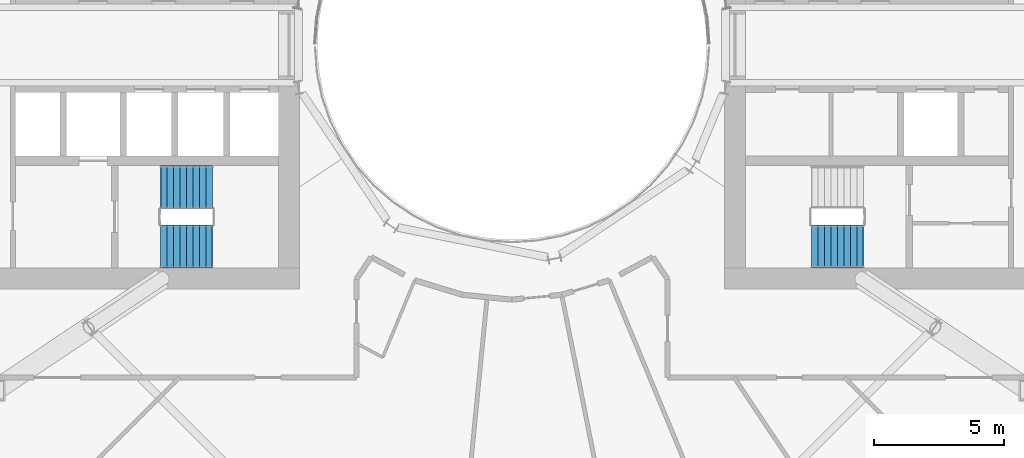
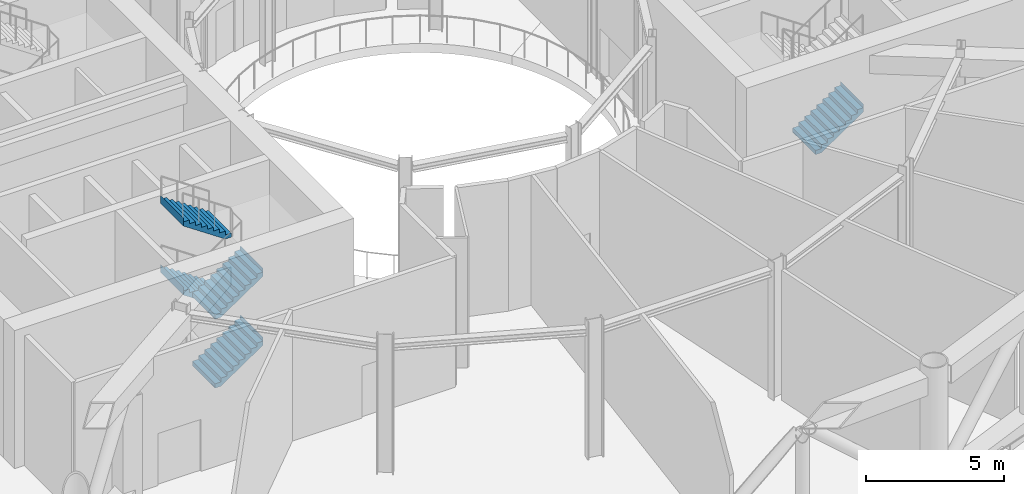
# One storey, part 14 of 22: 5 stair flights, 2 elements without a shape of their own.
"""IFC4 building model written with IfcOpenShell, lengths in metres."""

from ifc_helpers import new_model, si_unit, direction, frame, origin, place, context, subcontext, project, spatial, triangles, material, type_object, element, aggregate, save


model = new_model("IFC4")

# Units and contexts
model_context = context("Model", 3, precision=1e-05, world=origin(), true_north=direction((0.0, 1.0)))
body_context = subcontext(model_context, "Body", "Model", "MODEL_VIEW")
ifc_project = project(units=[si_unit("LENGTHUNIT", "METRE"), si_unit("AREAUNIT", "SQUARE_METRE"), si_unit("VOLUMEUNIT", "CUBIC_METRE"), si_unit("PLANEANGLEUNIT", "RADIAN"), si_unit("MASSUNIT", "GRAM", prefix="KILO")], contexts=[model_context])

# Site, building, storey
site_placement = place(None, origin())
site = spatial("IfcSite", under=ifc_project, at=site_placement, CompositionType="ELEMENT")
building_placement = place(site_placement, origin())
building = spatial("IfcBuilding", under=site, at=building_placement, Name="Maasbend Ring Residences", CompositionType="ELEMENT")
storey_placement = place(building_placement, frame((0.0, 0.0, 57.5)))
storey = spatial("IfcBuildingStorey", under=building, at=storey_placement, Name="L16", CompositionType="ELEMENT", Elevation=57.5)

# Stair, stair flight
ifc_material_1 = material(Name="Concrete C40/50", Category="concrete")
stair_type = type_object("IfcStairType", Name="CORE STAIR 36 RISERS", PredefinedType="HALF_TURN_STAIR", material=ifc_material_1)
stair_1_placement = place(storey_placement, origin())
stair_1 = element("IfcStair", 1, at=stair_1_placement, inside=storey, type_object=stair_type, Name="L16 Exit stair ST-E2", PredefinedType="HALF_TURN_STAIR")
ifc_material_2 = material(Name="Concrete C40/50", Category="concrete")
stair_flight_type = type_object("IfcStairFlightType", Name="CORE STAIR FLIGHT 1650", PredefinedType="STRAIGHT", material=ifc_material_2)
stair_flight_1_placement = place(storey_placement, frame((11.550048828125, -7.77490234375, 1.52490234375), z_axis=(0.0, 0.0, 1.0), x_axis=(1.0, 0.0, 0.0)))
stair_flight_1 = element("IfcStairFlight", 2, at=stair_flight_1_placement, type_object=stair_flight_type, Name="ST-E2 flight 2", NumberOfRisers=9, NumberOfTreads=8, PredefinedType="STRAIGHT", RiserHeight=0.169444444, TreadLength=0.25, context=body_context, shape_type="Tessellation", body=[
    triangles([(0.24072265625, 0.824951171875, -0.02001953125), (2.0029296875, 0.824951171875, 1.174560546875), (2.0029296875, 0.824951171875, 1.52490234375), (1.989990234375, 0.824951171875, 1.35546875), (1.75, 0.824951171875, 1.35546875), (1.75, 0.824951171875, 1.18603515625), (1.5, 0.824951171875, 1.18603515625), (1.5, 0.824951171875, 1.0166015625), (1.25, 0.824951171875, 1.0166015625), (1.25, 0.824951171875, 0.84716796875), (1.0, 0.824951171875, 0.84716796875), (1.0, 0.824951171875, 0.677734375), (0.75, 0.824951171875, 0.677734375), (0.75, 0.824951171875, 0.50830078125), (0.5, 0.824951171875, 0.50830078125), (0.5, 0.824951171875, 0.3388671875), (0.25, 0.824951171875, 0.3388671875), (0.25, 0.824951171875, 0.16943359375), (0.0, 0.824951171875, 0.16943359375), (0.0, 0.824951171875, 0.0), (-0.0029296875, 0.824951171875, 0.0), (-0.0029296875, 0.824951171875, -0.02001953125), (0.24072265625, 0.27490234375, -0.02001953125), (2.0029296875, 0.27490234375, 1.174560546875), (2.0029296875, 0.27490234375, 1.52490234375), (1.989990234375, 0.27490234375, 1.35546875), (1.75, 0.27490234375, 1.35546875), (1.75, 0.27490234375, 1.18603515625), (1.5, 0.27490234375, 1.18603515625), (1.5, 0.27490234375, 1.0166015625), (1.25, 0.27490234375, 1.0166015625), (1.25, 0.27490234375, 0.84716796875), (1.0, 0.27490234375, 0.84716796875), (1.0, 0.27490234375, 0.677734375), (0.75, 0.27490234375, 0.677734375), (0.75, 0.27490234375, 0.50830078125), (0.5, 0.27490234375, 0.50830078125), (0.5, 0.27490234375, 0.3388671875), (0.25, 0.27490234375, 0.3388671875), (0.25, 0.27490234375, 0.16943359375), (0.0, 0.27490234375, 0.16943359375), (0.0, 0.27490234375, 0.0), (-0.0029296875, 0.27490234375, 0.0), (-0.0029296875, 0.27490234375, -0.02001953125), (0.24072265625, -0.27490234375, -0.02001953125), (2.0029296875, -0.27490234375, 1.174560546875), (2.0029296875, -0.27490234375, 1.52490234375), (1.989990234375, -0.27490234375, 1.35546875), (1.75, -0.27490234375, 1.35546875), (1.75, -0.27490234375, 1.18603515625), (1.5, -0.27490234375, 1.18603515625), (1.5, -0.27490234375, 1.0166015625), (1.25, -0.27490234375, 1.0166015625), (1.25, -0.27490234375, 0.84716796875), (1.0, -0.27490234375, 0.84716796875), (1.0, -0.27490234375, 0.677734375), (0.75, -0.27490234375, 0.677734375), (0.75, -0.27490234375, 0.50830078125), (0.5, -0.27490234375, 0.50830078125), (0.5, -0.27490234375, 0.3388671875), (0.25, -0.27490234375, 0.3388671875), (0.25, -0.27490234375, 0.16943359375), (0.0, -0.27490234375, 0.16943359375), (0.0, -0.27490234375, 0.0), (-0.0029296875, -0.27490234375, 0.0), (-0.0029296875, -0.27490234375, -0.02001953125), (0.24072265625, -0.824951171875, -0.02001953125), (2.0029296875, -0.824951171875, 1.174560546875), (2.0029296875, -0.824951171875, 1.52490234375), (1.989990234375, -0.824951171875, 1.35546875), (1.75, -0.824951171875, 1.35546875), (1.75, -0.824951171875, 1.18603515625), (1.5, -0.824951171875, 1.18603515625), (1.5, -0.824951171875, 1.0166015625), (1.25, -0.824951171875, 1.0166015625), (1.25, -0.824951171875, 0.84716796875), (1.0, -0.824951171875, 0.84716796875), (1.0, -0.824951171875, 0.677734375), (0.75, -0.824951171875, 0.677734375), (0.75, -0.824951171875, 0.50830078125), (0.5, -0.824951171875, 0.50830078125), (0.5, -0.824951171875, 0.3388671875), (0.25, -0.824951171875, 0.3388671875), (0.25, -0.824951171875, 0.16943359375), (0.0, -0.824951171875, 0.16943359375), (0.0, -0.824951171875, 0.0), (-0.0029296875, -0.824951171875, 0.0), (-0.0029296875, -0.824951171875, -0.02001953125)], [[1, 2, 24], [1, 24, 23], [23, 24, 46], [23, 46, 45], [45, 46, 68], [45, 68, 67], [2, 3, 25], [2, 25, 24], [24, 25, 47], [24, 47, 46], [46, 47, 69], [46, 69, 68], [3, 4, 26], [3, 26, 25], [25, 26, 48], [25, 48, 47], [47, 48, 70], [47, 70, 69], [4, 5, 27], [4, 27, 26], [26, 27, 49], [26, 49, 48], [48, 49, 71], [48, 71, 70], [5, 6, 28], [5, 28, 27], [27, 28, 50], [27, 50, 49], [49, 50, 72], [49, 72, 71], [6, 7, 29], [6, 29, 28], [28, 29, 51], [28, 51, 50], [50, 51, 73], [50, 73, 72], [7, 8, 30], [7, 30, 29], [29, 30, 52], [29, 52, 51], [51, 52, 74], [51, 74, 73], [8, 9, 31], [8, 31, 30], [30, 31, 53], [30, 53, 52], [52, 53, 75], [52, 75, 74], [9, 10, 32], [9, 32, 31], [31, 32, 54], [31, 54, 53], [53, 54, 76], [53, 76, 75], [10, 11, 33], [10, 33, 32], [32, 33, 55], [32, 55, 54], [54, 55, 77], [54, 77, 76], [11, 12, 34], [11, 34, 33], [33, 34, 56], [33, 56, 55], [55, 56, 78], [55, 78, 77], [12, 13, 35], [12, 35, 34], [34, 35, 57], [34, 57, 56], [56, 57, 79], [56, 79, 78], [13, 14, 36], [13, 36, 35], [35, 36, 58], [35, 58, 57], [57, 58, 80], [57, 80, 79], [14, 15, 37], [14, 37, 36], [36, 37, 59], [36, 59, 58], [58, 59, 81], [58, 81, 80], [15, 16, 38], [15, 38, 37], [37, 38, 60], [37, 60, 59], [59, 60, 82], [59, 82, 81], [16, 17, 39], [16, 39, 38], [38, 39, 61], [38, 61, 60], [60, 61, 83], [60, 83, 82], [17, 18, 40], [17, 40, 39], [39, 40, 62], [39, 62, 61], [61, 62, 84], [61, 84, 83], [18, 19, 41], [18, 41, 40], [40, 41, 63], [40, 63, 62], [62, 63, 85], [62, 85, 84], [19, 20, 42], [19, 42, 41], [41, 42, 64], [41, 64, 63], [63, 64, 86], [63, 86, 85], [20, 21, 43], [20, 43, 42], [42, 43, 65], [42, 65, 64], [64, 65, 87], [64, 87, 86], [21, 22, 44], [21, 44, 43], [43, 44, 66], [43, 66, 65], [65, 66, 88], [65, 88, 87], [22, 1, 23], [22, 23, 44], [44, 23, 45], [44, 45, 66], [66, 45, 67], [66, 67, 88], [22, 2, 1], [2, 4, 3], [2, 5, 4], [2, 6, 5], [22, 6, 2], [6, 8, 7], [22, 8, 6], [8, 10, 9], [22, 10, 8], [10, 12, 11], [22, 12, 10], [12, 14, 13], [22, 14, 12], [14, 16, 15], [22, 16, 14], [16, 18, 17], [22, 18, 16], [18, 20, 19], [22, 20, 18], [20, 22, 21], [88, 67, 68], [68, 69, 70], [68, 70, 71], [68, 71, 72], [88, 68, 72], [72, 73, 74], [88, 72, 74], [74, 75, 76], [88, 74, 76], [76, 77, 78], [88, 76, 78], [78, 79, 80], [88, 78, 80], [80, 81, 82], [88, 80, 82], [82, 83, 84], [88, 82, 84], [84, 85, 86], [88, 84, 86], [86, 87, 88]], closed=True),
])
aggregate(stair_1, [stair_flight_1])

# Stair, stair flights
stair_2_placement = place(storey_placement, origin())
stair_2 = element("IfcStair", 3, at=stair_2_placement, inside=storey, type_object=stair_type, Name="L16 Exit stair ST-W1", PredefinedType="HALF_TURN_STAIR")
stair_flight_2_placement = place(storey_placement, frame((-13.550048828125, -7.77490234375, 0.0), z_axis=(0.0, 0.0, 1.0), x_axis=(1.0, 0.0, 0.0)))
stair_flight_2 = element("IfcStairFlight", 4, at=stair_flight_2_placement, type_object=stair_flight_type, Name="ST-W1 flight 1", NumberOfRisers=9, NumberOfTreads=8, PredefinedType="STRAIGHT", RiserHeight=0.169444444, TreadLength=0.25, context=body_context, shape_type="Tessellation", body=[
    triangles([(0.24072265625, 0.824951171875, -0.02001953125), (2.0029296875, 0.824951171875, 1.174560546875), (2.0029296875, 0.824951171875, 1.52490234375), (1.989990234375, 0.824951171875, 1.35546875), (1.75, 0.824951171875, 1.35546875), (1.75, 0.824951171875, 1.18603515625), (1.5, 0.824951171875, 1.18603515625), (1.5, 0.824951171875, 1.0166015625), (1.25, 0.824951171875, 1.0166015625), (1.25, 0.824951171875, 0.84716796875), (1.0, 0.824951171875, 0.84716796875), (1.0, 0.824951171875, 0.677734375), (0.75, 0.824951171875, 0.677734375), (0.75, 0.824951171875, 0.50830078125), (0.5, 0.824951171875, 0.50830078125), (0.5, 0.824951171875, 0.3388671875), (0.25, 0.824951171875, 0.3388671875), (0.25, 0.824951171875, 0.16943359375), (0.0, 0.824951171875, 0.16943359375), (0.0, 0.824951171875, 0.0), (-0.0029296875, 0.824951171875, 0.0), (-0.0029296875, 0.824951171875, -0.02001953125), (0.24072265625, 0.27490234375, -0.02001953125), (2.0029296875, 0.27490234375, 1.174560546875), (2.0029296875, 0.27490234375, 1.52490234375), (1.989990234375, 0.27490234375, 1.35546875), (1.75, 0.27490234375, 1.35546875), (1.75, 0.27490234375, 1.18603515625), (1.5, 0.27490234375, 1.18603515625), (1.5, 0.27490234375, 1.0166015625), (1.25, 0.27490234375, 1.0166015625), (1.25, 0.27490234375, 0.84716796875), (1.0, 0.27490234375, 0.84716796875), (1.0, 0.27490234375, 0.677734375), (0.75, 0.27490234375, 0.677734375), (0.75, 0.27490234375, 0.50830078125), (0.5, 0.27490234375, 0.50830078125), (0.5, 0.27490234375, 0.3388671875), (0.25, 0.27490234375, 0.3388671875), (0.25, 0.27490234375, 0.16943359375), (0.0, 0.27490234375, 0.16943359375), (0.0, 0.27490234375, 0.0), (-0.0029296875, 0.27490234375, 0.0), (-0.0029296875, 0.27490234375, -0.02001953125), (0.24072265625, -0.27490234375, -0.02001953125), (2.0029296875, -0.27490234375, 1.174560546875), (2.0029296875, -0.27490234375, 1.52490234375), (1.989990234375, -0.27490234375, 1.35546875), (1.75, -0.27490234375, 1.35546875), (1.75, -0.27490234375, 1.18603515625), (1.5, -0.27490234375, 1.18603515625), (1.5, -0.27490234375, 1.0166015625), (1.25, -0.27490234375, 1.0166015625), (1.25, -0.27490234375, 0.84716796875), (1.0, -0.27490234375, 0.84716796875), (1.0, -0.27490234375, 0.677734375), (0.75, -0.27490234375, 0.677734375), (0.75, -0.27490234375, 0.50830078125), (0.5, -0.27490234375, 0.50830078125), (0.5, -0.27490234375, 0.3388671875), (0.25, -0.27490234375, 0.3388671875), (0.25, -0.27490234375, 0.16943359375), (0.0, -0.27490234375, 0.16943359375), (0.0, -0.27490234375, 0.0), (-0.0029296875, -0.27490234375, 0.0), (-0.0029296875, -0.27490234375, -0.02001953125), (0.24072265625, -0.824951171875, -0.02001953125), (2.0029296875, -0.824951171875, 1.174560546875), (2.0029296875, -0.824951171875, 1.52490234375), (1.989990234375, -0.824951171875, 1.35546875), (1.75, -0.824951171875, 1.35546875), (1.75, -0.824951171875, 1.18603515625), (1.5, -0.824951171875, 1.18603515625), (1.5, -0.824951171875, 1.0166015625), (1.25, -0.824951171875, 1.0166015625), (1.25, -0.824951171875, 0.84716796875), (1.0, -0.824951171875, 0.84716796875), (1.0, -0.824951171875, 0.677734375), (0.75, -0.824951171875, 0.677734375), (0.75, -0.824951171875, 0.50830078125), (0.5, -0.824951171875, 0.50830078125), (0.5, -0.824951171875, 0.3388671875), (0.25, -0.824951171875, 0.3388671875), (0.25, -0.824951171875, 0.16943359375), (0.0, -0.824951171875, 0.16943359375), (0.0, -0.824951171875, 0.0), (-0.0029296875, -0.824951171875, 0.0), (-0.0029296875, -0.824951171875, -0.02001953125)], [[1, 2, 24], [1, 24, 23], [23, 24, 46], [23, 46, 45], [45, 46, 68], [45, 68, 67], [2, 3, 25], [2, 25, 24], [24, 25, 47], [24, 47, 46], [46, 47, 69], [46, 69, 68], [3, 4, 26], [3, 26, 25], [25, 26, 48], [25, 48, 47], [47, 48, 70], [47, 70, 69], [4, 5, 27], [4, 27, 26], [26, 27, 49], [26, 49, 48], [48, 49, 71], [48, 71, 70], [5, 6, 28], [5, 28, 27], [27, 28, 50], [27, 50, 49], [49, 50, 72], [49, 72, 71], [6, 7, 29], [6, 29, 28], [28, 29, 51], [28, 51, 50], [50, 51, 73], [50, 73, 72], [7, 8, 30], [7, 30, 29], [29, 30, 52], [29, 52, 51], [51, 52, 74], [51, 74, 73], [8, 9, 31], [8, 31, 30], [30, 31, 53], [30, 53, 52], [52, 53, 75], [52, 75, 74], [9, 10, 32], [9, 32, 31], [31, 32, 54], [31, 54, 53], [53, 54, 76], [53, 76, 75], [10, 11, 33], [10, 33, 32], [32, 33, 55], [32, 55, 54], [54, 55, 77], [54, 77, 76], [11, 12, 34], [11, 34, 33], [33, 34, 56], [33, 56, 55], [55, 56, 78], [55, 78, 77], [12, 13, 35], [12, 35, 34], [34, 35, 57], [34, 57, 56], [56, 57, 79], [56, 79, 78], [13, 14, 36], [13, 36, 35], [35, 36, 58], [35, 58, 57], [57, 58, 80], [57, 80, 79], [14, 15, 37], [14, 37, 36], [36, 37, 59], [36, 59, 58], [58, 59, 81], [58, 81, 80], [15, 16, 38], [15, 38, 37], [37, 38, 60], [37, 60, 59], [59, 60, 82], [59, 82, 81], [16, 17, 39], [16, 39, 38], [38, 39, 61], [38, 61, 60], [60, 61, 83], [60, 83, 82], [17, 18, 40], [17, 40, 39], [39, 40, 62], [39, 62, 61], [61, 62, 84], [61, 84, 83], [18, 19, 41], [18, 41, 40], [40, 41, 63], [40, 63, 62], [62, 63, 85], [62, 85, 84], [19, 20, 42], [19, 42, 41], [41, 42, 64], [41, 64, 63], [63, 64, 86], [63, 86, 85], [20, 21, 43], [20, 43, 42], [42, 43, 65], [42, 65, 64], [64, 65, 87], [64, 87, 86], [21, 22, 44], [21, 44, 43], [43, 44, 66], [43, 66, 65], [65, 66, 88], [65, 88, 87], [22, 1, 23], [22, 23, 44], [44, 23, 45], [44, 45, 66], [66, 45, 67], [66, 67, 88], [22, 2, 1], [2, 4, 3], [2, 5, 4], [2, 6, 5], [22, 6, 2], [6, 8, 7], [22, 8, 6], [8, 10, 9], [22, 10, 8], [10, 12, 11], [22, 12, 10], [12, 14, 13], [22, 14, 12], [14, 16, 15], [22, 16, 14], [16, 18, 17], [22, 18, 16], [18, 20, 19], [22, 20, 18], [20, 22, 21], [88, 67, 68], [68, 69, 70], [68, 70, 71], [68, 71, 72], [88, 68, 72], [72, 73, 74], [88, 72, 74], [74, 75, 76], [88, 74, 76], [76, 77, 78], [88, 76, 78], [78, 79, 80], [88, 78, 80], [80, 81, 82], [88, 80, 82], [82, 83, 84], [88, 82, 84], [84, 85, 86], [88, 84, 86], [86, 87, 88]], closed=True),
])
stair_flight_3_placement = place(storey_placement, frame((-11.550048828125, -5.47509765625, 1.52490234375), z_axis=(0.0, 0.0, 1.0), x_axis=(-1.0, 0.0, 0.0)))
stair_flight_3 = element("IfcStairFlight", 5, at=stair_flight_3_placement, type_object=stair_flight_type, Name="ST-W1 flight 2", NumberOfRisers=9, NumberOfTreads=8, PredefinedType="STRAIGHT", RiserHeight=0.169444444, TreadLength=0.25, context=body_context, shape_type="Tessellation", body=[
    triangles([(0.24072265625, 0.824951171875, -0.02001953125), (2.0029296875, 0.824951171875, 1.174560546875), (2.0029296875, 0.824951171875, 1.52490234375), (1.989990234375, 0.824951171875, 1.35546875), (1.75, 0.824951171875, 1.35546875), (1.75, 0.824951171875, 1.18603515625), (1.5, 0.824951171875, 1.18603515625), (1.5, 0.824951171875, 1.0166015625), (1.25, 0.824951171875, 1.0166015625), (1.25, 0.824951171875, 0.84716796875), (1.0, 0.824951171875, 0.84716796875), (1.0, 0.824951171875, 0.677734375), (0.75, 0.824951171875, 0.677734375), (0.75, 0.824951171875, 0.50830078125), (0.5, 0.824951171875, 0.50830078125), (0.5, 0.824951171875, 0.3388671875), (0.25, 0.824951171875, 0.3388671875), (0.25, 0.824951171875, 0.16943359375), (0.0, 0.824951171875, 0.16943359375), (0.0, 0.824951171875, 0.0), (-0.0029296875, 0.824951171875, 0.0), (-0.0029296875, 0.824951171875, -0.02001953125), (0.24072265625, 0.27490234375, -0.02001953125), (2.0029296875, 0.27490234375, 1.174560546875), (2.0029296875, 0.27490234375, 1.52490234375), (1.989990234375, 0.27490234375, 1.35546875), (1.75, 0.27490234375, 1.35546875), (1.75, 0.27490234375, 1.18603515625), (1.5, 0.27490234375, 1.18603515625), (1.5, 0.27490234375, 1.0166015625), (1.25, 0.27490234375, 1.0166015625), (1.25, 0.27490234375, 0.84716796875), (1.0, 0.27490234375, 0.84716796875), (1.0, 0.27490234375, 0.677734375), (0.75, 0.27490234375, 0.677734375), (0.75, 0.27490234375, 0.50830078125), (0.5, 0.27490234375, 0.50830078125), (0.5, 0.27490234375, 0.3388671875), (0.25, 0.27490234375, 0.3388671875), (0.25, 0.27490234375, 0.16943359375), (0.0, 0.27490234375, 0.16943359375), (0.0, 0.27490234375, 0.0), (-0.0029296875, 0.27490234375, 0.0), (-0.0029296875, 0.27490234375, -0.02001953125), (0.24072265625, -0.27490234375, -0.02001953125), (2.0029296875, -0.27490234375, 1.174560546875), (2.0029296875, -0.27490234375, 1.52490234375), (1.989990234375, -0.27490234375, 1.35546875), (1.75, -0.27490234375, 1.35546875), (1.75, -0.27490234375, 1.18603515625), (1.5, -0.27490234375, 1.18603515625), (1.5, -0.27490234375, 1.0166015625), (1.25, -0.27490234375, 1.0166015625), (1.25, -0.27490234375, 0.84716796875), (1.0, -0.27490234375, 0.84716796875), (1.0, -0.27490234375, 0.677734375), (0.75, -0.27490234375, 0.677734375), (0.75, -0.27490234375, 0.50830078125), (0.5, -0.27490234375, 0.50830078125), (0.5, -0.27490234375, 0.3388671875), (0.25, -0.27490234375, 0.3388671875), (0.25, -0.27490234375, 0.16943359375), (0.0, -0.27490234375, 0.16943359375), (0.0, -0.27490234375, 0.0), (-0.0029296875, -0.27490234375, 0.0), (-0.0029296875, -0.27490234375, -0.02001953125), (0.24072265625, -0.824951171875, -0.02001953125), (2.0029296875, -0.824951171875, 1.174560546875), (2.0029296875, -0.824951171875, 1.52490234375), (1.989990234375, -0.824951171875, 1.35546875), (1.75, -0.824951171875, 1.35546875), (1.75, -0.824951171875, 1.18603515625), (1.5, -0.824951171875, 1.18603515625), (1.5, -0.824951171875, 1.0166015625), (1.25, -0.824951171875, 1.0166015625), (1.25, -0.824951171875, 0.84716796875), (1.0, -0.824951171875, 0.84716796875), (1.0, -0.824951171875, 0.677734375), (0.75, -0.824951171875, 0.677734375), (0.75, -0.824951171875, 0.50830078125), (0.5, -0.824951171875, 0.50830078125), (0.5, -0.824951171875, 0.3388671875), (0.25, -0.824951171875, 0.3388671875), (0.25, -0.824951171875, 0.16943359375), (0.0, -0.824951171875, 0.16943359375), (0.0, -0.824951171875, 0.0), (-0.0029296875, -0.824951171875, 0.0), (-0.0029296875, -0.824951171875, -0.02001953125)], [[1, 2, 24], [1, 24, 23], [23, 24, 46], [23, 46, 45], [45, 46, 68], [45, 68, 67], [2, 3, 25], [2, 25, 24], [24, 25, 47], [24, 47, 46], [46, 47, 69], [46, 69, 68], [3, 4, 26], [3, 26, 25], [25, 26, 48], [25, 48, 47], [47, 48, 70], [47, 70, 69], [4, 5, 27], [4, 27, 26], [26, 27, 49], [26, 49, 48], [48, 49, 71], [48, 71, 70], [5, 6, 28], [5, 28, 27], [27, 28, 50], [27, 50, 49], [49, 50, 72], [49, 72, 71], [6, 7, 29], [6, 29, 28], [28, 29, 51], [28, 51, 50], [50, 51, 73], [50, 73, 72], [7, 8, 30], [7, 30, 29], [29, 30, 52], [29, 52, 51], [51, 52, 74], [51, 74, 73], [8, 9, 31], [8, 31, 30], [30, 31, 53], [30, 53, 52], [52, 53, 75], [52, 75, 74], [9, 10, 32], [9, 32, 31], [31, 32, 54], [31, 54, 53], [53, 54, 76], [53, 76, 75], [10, 11, 33], [10, 33, 32], [32, 33, 55], [32, 55, 54], [54, 55, 77], [54, 77, 76], [11, 12, 34], [11, 34, 33], [33, 34, 56], [33, 56, 55], [55, 56, 78], [55, 78, 77], [12, 13, 35], [12, 35, 34], [34, 35, 57], [34, 57, 56], [56, 57, 79], [56, 79, 78], [13, 14, 36], [13, 36, 35], [35, 36, 58], [35, 58, 57], [57, 58, 80], [57, 80, 79], [14, 15, 37], [14, 37, 36], [36, 37, 59], [36, 59, 58], [58, 59, 81], [58, 81, 80], [15, 16, 38], [15, 38, 37], [37, 38, 60], [37, 60, 59], [59, 60, 82], [59, 82, 81], [16, 17, 39], [16, 39, 38], [38, 39, 61], [38, 61, 60], [60, 61, 83], [60, 83, 82], [17, 18, 40], [17, 40, 39], [39, 40, 62], [39, 62, 61], [61, 62, 84], [61, 84, 83], [18, 19, 41], [18, 41, 40], [40, 41, 63], [40, 63, 62], [62, 63, 85], [62, 85, 84], [19, 20, 42], [19, 42, 41], [41, 42, 64], [41, 64, 63], [63, 64, 86], [63, 86, 85], [20, 21, 43], [20, 43, 42], [42, 43, 65], [42, 65, 64], [64, 65, 87], [64, 87, 86], [21, 22, 44], [21, 44, 43], [43, 44, 66], [43, 66, 65], [65, 66, 88], [65, 88, 87], [22, 1, 23], [22, 23, 44], [44, 23, 45], [44, 45, 66], [66, 45, 67], [66, 67, 88], [22, 2, 1], [2, 4, 3], [2, 5, 4], [2, 6, 5], [22, 6, 2], [6, 8, 7], [22, 8, 6], [8, 10, 9], [22, 10, 8], [10, 12, 11], [22, 12, 10], [12, 14, 13], [22, 14, 12], [14, 16, 15], [22, 16, 14], [16, 18, 17], [22, 18, 16], [18, 20, 19], [22, 20, 18], [20, 22, 21], [88, 67, 68], [68, 69, 70], [68, 70, 71], [68, 71, 72], [88, 68, 72], [72, 73, 74], [88, 72, 74], [74, 75, 76], [88, 74, 76], [76, 77, 78], [88, 76, 78], [78, 79, 80], [88, 78, 80], [80, 81, 82], [88, 80, 82], [82, 83, 84], [88, 82, 84], [84, 85, 86], [88, 84, 86], [86, 87, 88]], closed=True),
])
stair_flight_4_placement = place(storey_placement, frame((-13.550048828125, -7.77490234375, 3.050048828125), z_axis=(0.0, 0.0, 1.0), x_axis=(1.0, 0.0, 0.0)))
stair_flight_4 = element("IfcStairFlight", 6, at=stair_flight_4_placement, type_object=stair_flight_type, Name="ST-W1 flight 3", NumberOfRisers=9, NumberOfTreads=8, PredefinedType="STRAIGHT", RiserHeight=0.169444444, TreadLength=0.25, context=body_context, shape_type="Tessellation", body=[
    triangles([(0.24072265625, 0.824951171875, -0.02001953125), (2.0029296875, 0.824951171875, 1.174560546875), (2.0029296875, 0.824951171875, 1.52490234375), (1.989990234375, 0.824951171875, 1.35546875), (1.75, 0.824951171875, 1.35546875), (1.75, 0.824951171875, 1.18603515625), (1.5, 0.824951171875, 1.18603515625), (1.5, 0.824951171875, 1.0166015625), (1.25, 0.824951171875, 1.0166015625), (1.25, 0.824951171875, 0.84716796875), (1.0, 0.824951171875, 0.84716796875), (1.0, 0.824951171875, 0.677734375), (0.75, 0.824951171875, 0.677734375), (0.75, 0.824951171875, 0.50830078125), (0.5, 0.824951171875, 0.50830078125), (0.5, 0.824951171875, 0.3388671875), (0.25, 0.824951171875, 0.3388671875), (0.25, 0.824951171875, 0.16943359375), (0.0, 0.824951171875, 0.16943359375), (0.0, 0.824951171875, 0.0), (-0.0029296875, 0.824951171875, 0.0), (-0.0029296875, 0.824951171875, -0.02001953125), (0.24072265625, 0.27490234375, -0.02001953125), (2.0029296875, 0.27490234375, 1.174560546875), (2.0029296875, 0.27490234375, 1.52490234375), (1.989990234375, 0.27490234375, 1.35546875), (1.75, 0.27490234375, 1.35546875), (1.75, 0.27490234375, 1.18603515625), (1.5, 0.27490234375, 1.18603515625), (1.5, 0.27490234375, 1.0166015625), (1.25, 0.27490234375, 1.0166015625), (1.25, 0.27490234375, 0.84716796875), (1.0, 0.27490234375, 0.84716796875), (1.0, 0.27490234375, 0.677734375), (0.75, 0.27490234375, 0.677734375), (0.75, 0.27490234375, 0.50830078125), (0.5, 0.27490234375, 0.50830078125), (0.5, 0.27490234375, 0.3388671875), (0.25, 0.27490234375, 0.3388671875), (0.25, 0.27490234375, 0.16943359375), (0.0, 0.27490234375, 0.16943359375), (0.0, 0.27490234375, 0.0), (-0.0029296875, 0.27490234375, 0.0), (-0.0029296875, 0.27490234375, -0.02001953125), (0.24072265625, -0.27490234375, -0.02001953125), (2.0029296875, -0.27490234375, 1.174560546875), (2.0029296875, -0.27490234375, 1.52490234375), (1.989990234375, -0.27490234375, 1.35546875), (1.75, -0.27490234375, 1.35546875), (1.75, -0.27490234375, 1.18603515625), (1.5, -0.27490234375, 1.18603515625), (1.5, -0.27490234375, 1.0166015625), (1.25, -0.27490234375, 1.0166015625), (1.25, -0.27490234375, 0.84716796875), (1.0, -0.27490234375, 0.84716796875), (1.0, -0.27490234375, 0.677734375), (0.75, -0.27490234375, 0.677734375), (0.75, -0.27490234375, 0.50830078125), (0.5, -0.27490234375, 0.50830078125), (0.5, -0.27490234375, 0.3388671875), (0.25, -0.27490234375, 0.3388671875), (0.25, -0.27490234375, 0.16943359375), (0.0, -0.27490234375, 0.16943359375), (0.0, -0.27490234375, 0.0), (-0.0029296875, -0.27490234375, 0.0), (-0.0029296875, -0.27490234375, -0.02001953125), (0.24072265625, -0.824951171875, -0.02001953125), (2.0029296875, -0.824951171875, 1.174560546875), (2.0029296875, -0.824951171875, 1.52490234375), (1.989990234375, -0.824951171875, 1.35546875), (1.75, -0.824951171875, 1.35546875), (1.75, -0.824951171875, 1.18603515625), (1.5, -0.824951171875, 1.18603515625), (1.5, -0.824951171875, 1.0166015625), (1.25, -0.824951171875, 1.0166015625), (1.25, -0.824951171875, 0.84716796875), (1.0, -0.824951171875, 0.84716796875), (1.0, -0.824951171875, 0.677734375), (0.75, -0.824951171875, 0.677734375), (0.75, -0.824951171875, 0.50830078125), (0.5, -0.824951171875, 0.50830078125), (0.5, -0.824951171875, 0.3388671875), (0.25, -0.824951171875, 0.3388671875), (0.25, -0.824951171875, 0.16943359375), (0.0, -0.824951171875, 0.16943359375), (0.0, -0.824951171875, 0.0), (-0.0029296875, -0.824951171875, 0.0), (-0.0029296875, -0.824951171875, -0.02001953125)], [[1, 2, 24], [1, 24, 23], [23, 24, 46], [23, 46, 45], [45, 46, 68], [45, 68, 67], [2, 3, 25], [2, 25, 24], [24, 25, 47], [24, 47, 46], [46, 47, 69], [46, 69, 68], [3, 4, 26], [3, 26, 25], [25, 26, 48], [25, 48, 47], [47, 48, 70], [47, 70, 69], [4, 5, 27], [4, 27, 26], [26, 27, 49], [26, 49, 48], [48, 49, 71], [48, 71, 70], [5, 6, 28], [5, 28, 27], [27, 28, 50], [27, 50, 49], [49, 50, 72], [49, 72, 71], [6, 7, 29], [6, 29, 28], [28, 29, 51], [28, 51, 50], [50, 51, 73], [50, 73, 72], [7, 8, 30], [7, 30, 29], [29, 30, 52], [29, 52, 51], [51, 52, 74], [51, 74, 73], [8, 9, 31], [8, 31, 30], [30, 31, 53], [30, 53, 52], [52, 53, 75], [52, 75, 74], [9, 10, 32], [9, 32, 31], [31, 32, 54], [31, 54, 53], [53, 54, 76], [53, 76, 75], [10, 11, 33], [10, 33, 32], [32, 33, 55], [32, 55, 54], [54, 55, 77], [54, 77, 76], [11, 12, 34], [11, 34, 33], [33, 34, 56], [33, 56, 55], [55, 56, 78], [55, 78, 77], [12, 13, 35], [12, 35, 34], [34, 35, 57], [34, 57, 56], [56, 57, 79], [56, 79, 78], [13, 14, 36], [13, 36, 35], [35, 36, 58], [35, 58, 57], [57, 58, 80], [57, 80, 79], [14, 15, 37], [14, 37, 36], [36, 37, 59], [36, 59, 58], [58, 59, 81], [58, 81, 80], [15, 16, 38], [15, 38, 37], [37, 38, 60], [37, 60, 59], [59, 60, 82], [59, 82, 81], [16, 17, 39], [16, 39, 38], [38, 39, 61], [38, 61, 60], [60, 61, 83], [60, 83, 82], [17, 18, 40], [17, 40, 39], [39, 40, 62], [39, 62, 61], [61, 62, 84], [61, 84, 83], [18, 19, 41], [18, 41, 40], [40, 41, 63], [40, 63, 62], [62, 63, 85], [62, 85, 84], [19, 20, 42], [19, 42, 41], [41, 42, 64], [41, 64, 63], [63, 64, 86], [63, 86, 85], [20, 21, 43], [20, 43, 42], [42, 43, 65], [42, 65, 64], [64, 65, 87], [64, 87, 86], [21, 22, 44], [21, 44, 43], [43, 44, 66], [43, 66, 65], [65, 66, 88], [65, 88, 87], [22, 1, 23], [22, 23, 44], [44, 23, 45], [44, 45, 66], [66, 45, 67], [66, 67, 88], [22, 2, 1], [2, 4, 3], [2, 5, 4], [2, 6, 5], [22, 6, 2], [6, 8, 7], [22, 8, 6], [8, 10, 9], [22, 10, 8], [10, 12, 11], [22, 12, 10], [12, 14, 13], [22, 14, 12], [14, 16, 15], [22, 16, 14], [16, 18, 17], [22, 18, 16], [18, 20, 19], [22, 20, 18], [20, 22, 21], [88, 67, 68], [68, 69, 70], [68, 70, 71], [68, 71, 72], [88, 68, 72], [72, 73, 74], [88, 72, 74], [74, 75, 76], [88, 74, 76], [76, 77, 78], [88, 76, 78], [78, 79, 80], [88, 78, 80], [80, 81, 82], [88, 80, 82], [82, 83, 84], [88, 82, 84], [84, 85, 86], [88, 84, 86], [86, 87, 88]], closed=True),
])
stair_flight_5_placement = place(storey_placement, frame((-11.550048828125, -5.47509765625, 4.574951171875), z_axis=(0.0, 0.0, 1.0), x_axis=(-1.0, 0.0, 0.0)))
stair_flight_5 = element("IfcStairFlight", 7, at=stair_flight_5_placement, type_object=stair_flight_type, Name="ST-W1 flight 4", NumberOfRisers=9, NumberOfTreads=8, PredefinedType="STRAIGHT", RiserHeight=0.169444444, TreadLength=0.25, context=body_context, shape_type="Tessellation", body=[
    triangles([(0.24072265625, 0.824951171875, -0.02001953125), (2.0029296875, 0.824951171875, 1.174560546875), (2.0029296875, 0.824951171875, 1.52490234375), (1.989990234375, 0.824951171875, 1.35546875), (1.75, 0.824951171875, 1.35546875), (1.75, 0.824951171875, 1.18603515625), (1.5, 0.824951171875, 1.18603515625), (1.5, 0.824951171875, 1.0166015625), (1.25, 0.824951171875, 1.0166015625), (1.25, 0.824951171875, 0.84716796875), (1.0, 0.824951171875, 0.84716796875), (1.0, 0.824951171875, 0.677734375), (0.75, 0.824951171875, 0.677734375), (0.75, 0.824951171875, 0.50830078125), (0.5, 0.824951171875, 0.50830078125), (0.5, 0.824951171875, 0.3388671875), (0.25, 0.824951171875, 0.3388671875), (0.25, 0.824951171875, 0.16943359375), (0.0, 0.824951171875, 0.16943359375), (0.0, 0.824951171875, 0.0), (-0.0029296875, 0.824951171875, 0.0), (-0.0029296875, 0.824951171875, -0.02001953125), (0.24072265625, 0.27490234375, -0.02001953125), (2.0029296875, 0.27490234375, 1.174560546875), (2.0029296875, 0.27490234375, 1.52490234375), (1.989990234375, 0.27490234375, 1.35546875), (1.75, 0.27490234375, 1.35546875), (1.75, 0.27490234375, 1.18603515625), (1.5, 0.27490234375, 1.18603515625), (1.5, 0.27490234375, 1.0166015625), (1.25, 0.27490234375, 1.0166015625), (1.25, 0.27490234375, 0.84716796875), (1.0, 0.27490234375, 0.84716796875), (1.0, 0.27490234375, 0.677734375), (0.75, 0.27490234375, 0.677734375), (0.75, 0.27490234375, 0.50830078125), (0.5, 0.27490234375, 0.50830078125), (0.5, 0.27490234375, 0.3388671875), (0.25, 0.27490234375, 0.3388671875), (0.25, 0.27490234375, 0.16943359375), (0.0, 0.27490234375, 0.16943359375), (0.0, 0.27490234375, 0.0), (-0.0029296875, 0.27490234375, 0.0), (-0.0029296875, 0.27490234375, -0.02001953125), (0.24072265625, -0.27490234375, -0.02001953125), (2.0029296875, -0.27490234375, 1.174560546875), (2.0029296875, -0.27490234375, 1.52490234375), (1.989990234375, -0.27490234375, 1.35546875), (1.75, -0.27490234375, 1.35546875), (1.75, -0.27490234375, 1.18603515625), (1.5, -0.27490234375, 1.18603515625), (1.5, -0.27490234375, 1.0166015625), (1.25, -0.27490234375, 1.0166015625), (1.25, -0.27490234375, 0.84716796875), (1.0, -0.27490234375, 0.84716796875), (1.0, -0.27490234375, 0.677734375), (0.75, -0.27490234375, 0.677734375), (0.75, -0.27490234375, 0.50830078125), (0.5, -0.27490234375, 0.50830078125), (0.5, -0.27490234375, 0.3388671875), (0.25, -0.27490234375, 0.3388671875), (0.25, -0.27490234375, 0.16943359375), (0.0, -0.27490234375, 0.16943359375), (0.0, -0.27490234375, 0.0), (-0.0029296875, -0.27490234375, 0.0), (-0.0029296875, -0.27490234375, -0.02001953125), (0.24072265625, -0.824951171875, -0.02001953125), (2.0029296875, -0.824951171875, 1.174560546875), (2.0029296875, -0.824951171875, 1.52490234375), (1.989990234375, -0.824951171875, 1.35546875), (1.75, -0.824951171875, 1.35546875), (1.75, -0.824951171875, 1.18603515625), (1.5, -0.824951171875, 1.18603515625), (1.5, -0.824951171875, 1.0166015625), (1.25, -0.824951171875, 1.0166015625), (1.25, -0.824951171875, 0.84716796875), (1.0, -0.824951171875, 0.84716796875), (1.0, -0.824951171875, 0.677734375), (0.75, -0.824951171875, 0.677734375), (0.75, -0.824951171875, 0.50830078125), (0.5, -0.824951171875, 0.50830078125), (0.5, -0.824951171875, 0.3388671875), (0.25, -0.824951171875, 0.3388671875), (0.25, -0.824951171875, 0.16943359375), (0.0, -0.824951171875, 0.16943359375), (0.0, -0.824951171875, 0.0), (-0.0029296875, -0.824951171875, 0.0), (-0.0029296875, -0.824951171875, -0.02001953125)], [[1, 2, 24], [1, 24, 23], [23, 24, 46], [23, 46, 45], [45, 46, 68], [45, 68, 67], [2, 3, 25], [2, 25, 24], [24, 25, 47], [24, 47, 46], [46, 47, 69], [46, 69, 68], [3, 4, 26], [3, 26, 25], [25, 26, 48], [25, 48, 47], [47, 48, 70], [47, 70, 69], [4, 5, 27], [4, 27, 26], [26, 27, 49], [26, 49, 48], [48, 49, 71], [48, 71, 70], [5, 6, 28], [5, 28, 27], [27, 28, 50], [27, 50, 49], [49, 50, 72], [49, 72, 71], [6, 7, 29], [6, 29, 28], [28, 29, 51], [28, 51, 50], [50, 51, 73], [50, 73, 72], [7, 8, 30], [7, 30, 29], [29, 30, 52], [29, 52, 51], [51, 52, 74], [51, 74, 73], [8, 9, 31], [8, 31, 30], [30, 31, 53], [30, 53, 52], [52, 53, 75], [52, 75, 74], [9, 10, 32], [9, 32, 31], [31, 32, 54], [31, 54, 53], [53, 54, 76], [53, 76, 75], [10, 11, 33], [10, 33, 32], [32, 33, 55], [32, 55, 54], [54, 55, 77], [54, 77, 76], [11, 12, 34], [11, 34, 33], [33, 34, 56], [33, 56, 55], [55, 56, 78], [55, 78, 77], [12, 13, 35], [12, 35, 34], [34, 35, 57], [34, 57, 56], [56, 57, 79], [56, 79, 78], [13, 14, 36], [13, 36, 35], [35, 36, 58], [35, 58, 57], [57, 58, 80], [57, 80, 79], [14, 15, 37], [14, 37, 36], [36, 37, 59], [36, 59, 58], [58, 59, 81], [58, 81, 80], [15, 16, 38], [15, 38, 37], [37, 38, 60], [37, 60, 59], [59, 60, 82], [59, 82, 81], [16, 17, 39], [16, 39, 38], [38, 39, 61], [38, 61, 60], [60, 61, 83], [60, 83, 82], [17, 18, 40], [17, 40, 39], [39, 40, 62], [39, 62, 61], [61, 62, 84], [61, 84, 83], [18, 19, 41], [18, 41, 40], [40, 41, 63], [40, 63, 62], [62, 63, 85], [62, 85, 84], [19, 20, 42], [19, 42, 41], [41, 42, 64], [41, 64, 63], [63, 64, 86], [63, 86, 85], [20, 21, 43], [20, 43, 42], [42, 43, 65], [42, 65, 64], [64, 65, 87], [64, 87, 86], [21, 22, 44], [21, 44, 43], [43, 44, 66], [43, 66, 65], [65, 66, 88], [65, 88, 87], [22, 1, 23], [22, 23, 44], [44, 23, 45], [44, 45, 66], [66, 45, 67], [66, 67, 88], [22, 2, 1], [2, 4, 3], [2, 5, 4], [2, 6, 5], [22, 6, 2], [6, 8, 7], [22, 8, 6], [8, 10, 9], [22, 10, 8], [10, 12, 11], [22, 12, 10], [12, 14, 13], [22, 14, 12], [14, 16, 15], [22, 16, 14], [16, 18, 17], [22, 18, 16], [18, 20, 19], [22, 20, 18], [20, 22, 21], [88, 67, 68], [68, 69, 70], [68, 70, 71], [68, 71, 72], [88, 68, 72], [72, 73, 74], [88, 72, 74], [74, 75, 76], [88, 74, 76], [76, 77, 78], [88, 76, 78], [78, 79, 80], [88, 78, 80], [80, 81, 82], [88, 80, 82], [82, 83, 84], [88, 82, 84], [84, 85, 86], [88, 84, 86], [86, 87, 88]], closed=True),
])
aggregate(stair_2, [stair_flight_2, stair_flight_3, stair_flight_4, stair_flight_5])

save(model, "model.ifc")
